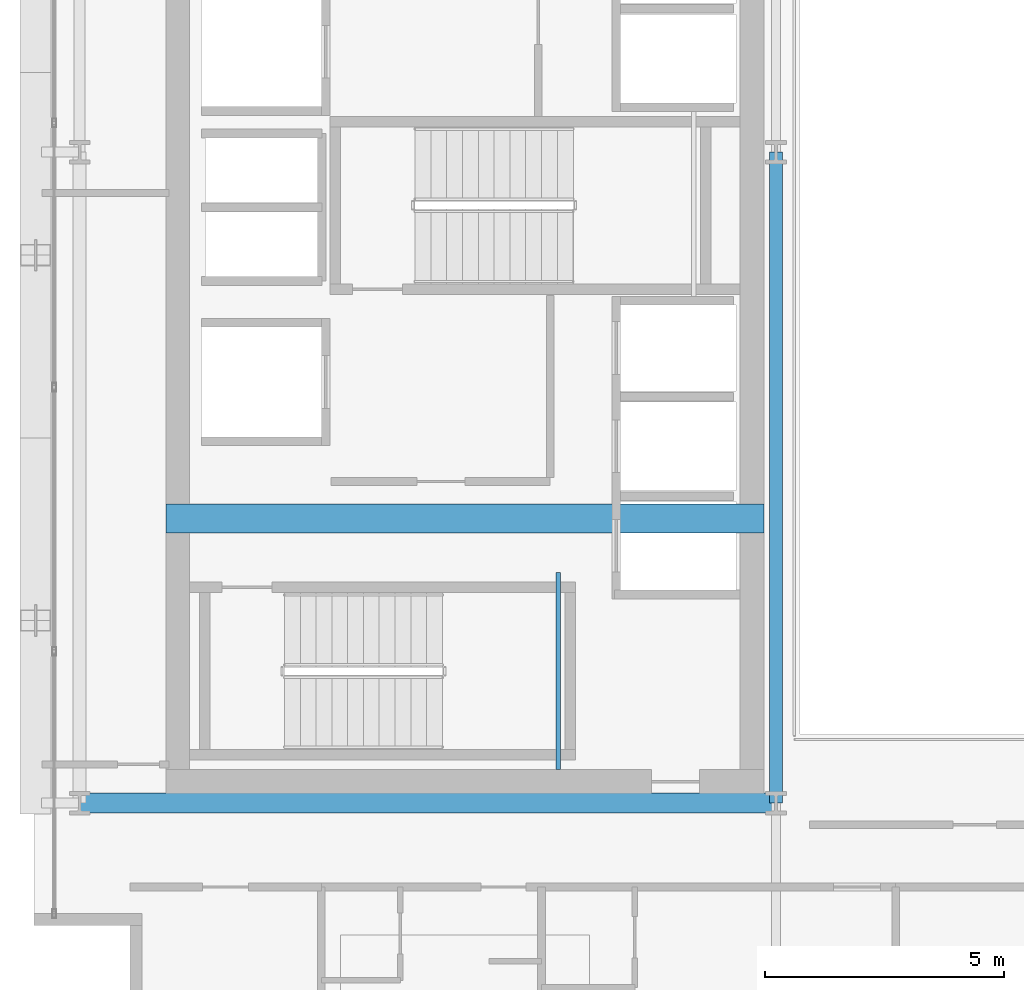
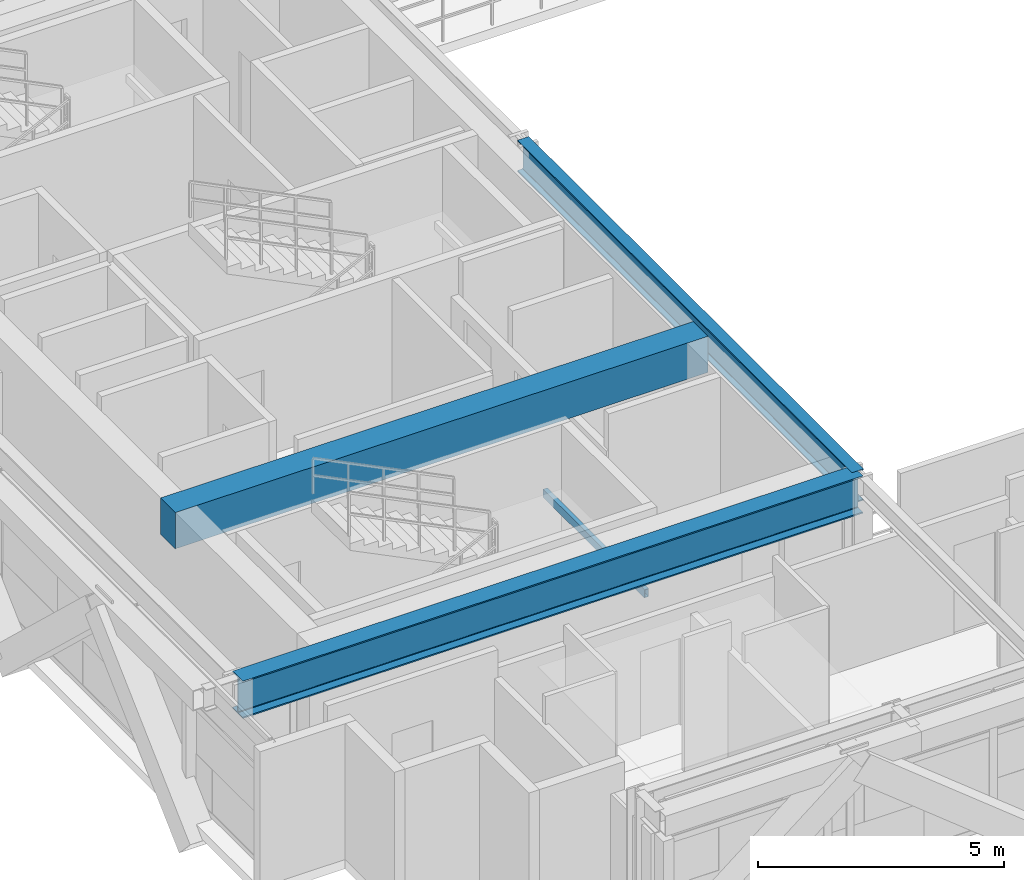
# One storey, part 5 of 31: 4 beams.
"""IFC4 building model written with IfcOpenShell, lengths in metres."""

from ifc_helpers import new_model, si_unit, direction, frame, origin, origin_2d, place, context, subcontext, project, spatial, rectangle, hollow_rectangle, i_section, extrude, source, transform, mapped, material, material_profile, profile_set, type_object, element, save


model = new_model("IFC4")

# Units and contexts
model_context = context("Model", 3, precision=1e-05, world=origin(), true_north=direction((0.0, 1.0)))
body_context = subcontext(model_context, "Body", "Model", "MODEL_VIEW")
ifc_project = project(units=[si_unit("LENGTHUNIT", "METRE"), si_unit("AREAUNIT", "SQUARE_METRE"), si_unit("VOLUMEUNIT", "CUBIC_METRE"), si_unit("PLANEANGLEUNIT", "RADIAN"), si_unit("MASSUNIT", "GRAM", prefix="KILO")], contexts=[model_context])

# Site, building, storey
site_placement = place(None, origin())
site = spatial("IfcSite", under=ifc_project, at=site_placement, CompositionType="ELEMENT")
building_placement = place(site_placement, origin())
building = spatial("IfcBuilding", under=site, at=building_placement, Name="Ocotamira Hotel", CompositionType="ELEMENT")
storey_placement = place(building_placement, frame((0.0, 0.0, 202.800048828125)))
storey = spatial("IfcBuildingStorey", under=building, at=storey_placement, Name="L51", CompositionType="ELEMENT", Elevation=202.800048828125)

# Beams
ifc_material_1 = material(Name="Concrete C50/60", Category="concrete")
ifc_material_profile_1 = material_profile(ifc_material_1, rectangle(XDim=0.60009765625, YDim=0.89990234375, at=origin_2d()), Name="RC600X900")
ifc_profile_set_1 = profile_set([ifc_material_profile_1], Name="Concrete C50/60")
beam_type_1 = type_object("IfcBeamType", Name="BM-LINK-RC600", PredefinedType="LINTEL", material=ifc_profile_set_1)
shared_shape_1 = source(origin(), body_context, "Body", "SweptSolid", [
    extrude(rectangle(XDim=0.60009765625, YDim=0.89990234375, at=origin_2d()), origin(), (0.0, 0.0, 1.0), 12.5),
])
beam_1_placement = place(storey_placement, frame((10.75, 20.5, 2.919921875), z_axis=(1.0, 0.0, 0.0), x_axis=(0.0, 1.0, 0.0)))
element("IfcBeam", 1, at=beam_1_placement, inside=storey, type_object=beam_type_1, Name="L51 West Core Coupling Beam", PredefinedType="LINTEL", context=body_context, shape_type="MappedRepresentation", body=[
    mapped(shared_shape_1, transform((0.0, 0.0, 0.0), scale=1.0)),
])
ifc_material_2 = material(Name="Steel ASTM A500 Grade C", Category="steel")
ifc_material_profile_2 = material_profile(ifc_material_2, hollow_rectangle(XDim=0.10009765625, YDim=0.199951171875, WallThickness=0.008056640625, at=origin_2d()), Name="HSS200X100X8")
ifc_profile_set_2 = profile_set([ifc_material_profile_2], Name="Steel ASTM A500 Grade C")
beam_type_2 = type_object("IfcBeamType", Name="BM-STLDG-HSS200", PredefinedType="BEAM", material=ifc_profile_set_2)
shared_shape_2 = source(origin(), body_context, "Body", "SweptSolid", [
    extrude(hollow_rectangle(XDim=0.10009765625, YDim=0.199951171875, WallThickness=0.008056640625, at=origin_2d()), origin(), (0.0, 0.0, 1.0), 4.1201171875),
])
beam_2_placement = place(storey_placement, frame((18.949951171875, 15.25, 1.5), z_axis=(0.0, 1.0, 0.0), x_axis=(-1.0, 0.0, 0.0)))
element("IfcBeam", 2, at=beam_2_placement, inside=storey, type_object=beam_type_2, Name="L51 Stair ST-1 Landing Bearer 1", PredefinedType="BEAM", context=body_context, shape_type="MappedRepresentation", body=[
    mapped(shared_shape_2, transform((0.0, 0.0, 0.0), scale=1.0)),
])
ifc_material_3 = material(Name="Steel ASTM A992 Grade 50", Category="steel")
ifc_material_profile_3 = material_profile(ifc_material_3, i_section(OverallWidth=0.41796875, OverallDepth=0.927001953125, WebThickness=0.019287109375, FlangeThickness=0.031982421875, FilletRadius=0.02392578125, at=origin_2d()), Name="W36X231")
ifc_profile_set_3 = profile_set([ifc_material_profile_3], Name="Steel ASTM A992 Grade 50")
beam_type_3 = type_object("IfcBeamType", Name="BM-GIRD-W36X231", PredefinedType="BEAM", material=ifc_profile_set_3)
shared_shape_3 = source(origin(), body_context, "Body", "SweptSolid", [
    extrude(i_section(OverallWidth=0.41796875, OverallDepth=0.927001953125, WebThickness=0.019287109375, FlangeThickness=0.031982421875, FilletRadius=0.02392578125, at=origin_2d()), origin(), (0.0, 0.0, 1.0), 14.550048828125),
])
beam_3_placement = place(storey_placement, frame((8.949951171875, 14.550048828125, 2.906494140625), z_axis=(1.0, 0.0, 0.0), x_axis=(0.0, 1.0, 0.0)))
element("IfcBeam", 3, at=beam_3_placement, inside=storey, type_object=beam_type_3, Name="L51 Girder Y14.55 X8.95-23.5", PredefinedType="BEAM", context=body_context, shape_type="MappedRepresentation", body=[
    mapped(shared_shape_3, transform((0.0, 0.0, 0.0), scale=1.0)),
])
ifc_material_profile_4 = material_profile(ifc_material_3, i_section(OverallWidth=0.26611328125, OverallDepth=0.779052734375, WebThickness=0.0166015625, FlangeThickness=0.030029296875, FilletRadius=0.01806640625, at=origin_2d()), Name="W30X148")
ifc_profile_set_4 = profile_set([ifc_material_profile_4], Name="Steel ASTM A992 Grade 50")
beam_type_4 = type_object("IfcBeamType", Name="BM-GIRD-W30X148", PredefinedType="BEAM", material=ifc_profile_set_4)
shared_shape_4 = source(origin(), body_context, "Body", "SweptSolid", [
    extrude(i_section(OverallWidth=0.26611328125, OverallDepth=0.779052734375, WebThickness=0.0166015625, FlangeThickness=0.030029296875, FilletRadius=0.01806640625, at=origin_2d()), origin(), (0.0, 0.0, 1.0), 13.599853515625),
])
beam_4_placement = place(storey_placement, frame((23.5, 14.550048828125, 2.98046875), z_axis=(0.0, 1.0, 0.0), x_axis=(-1.0, 0.0, 0.0)))
element("IfcBeam", 4, at=beam_4_placement, inside=storey, type_object=beam_type_4, Name="L51 Beam X23.5 Y14.55-28.15", PredefinedType="BEAM", context=body_context, shape_type="MappedRepresentation", body=[
    mapped(shared_shape_4, transform((0.0, 0.0, 0.0), scale=1.0)),
])

save(model, "model.ifc")
